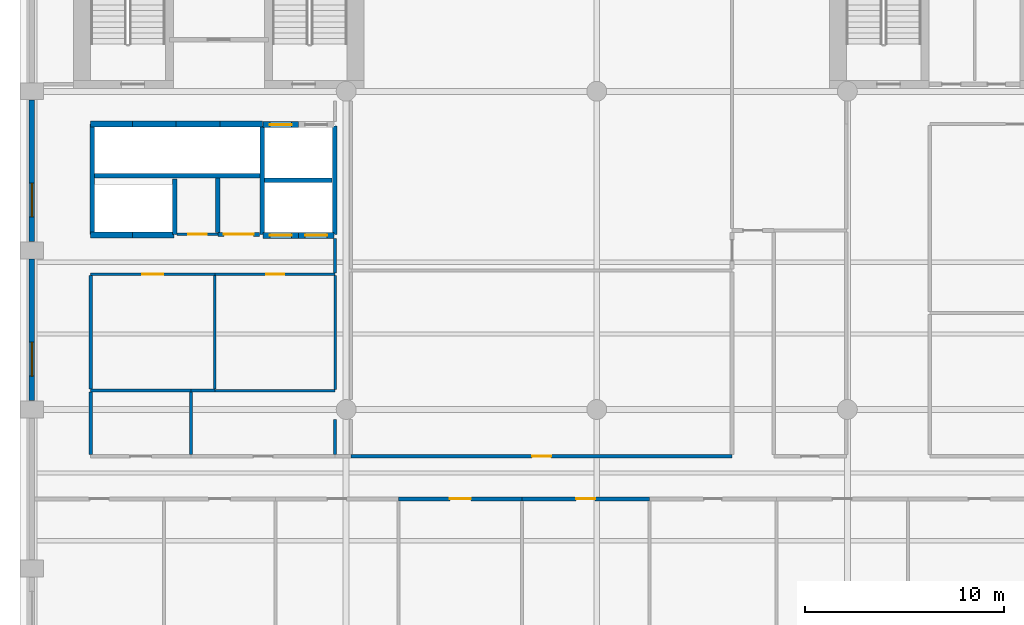
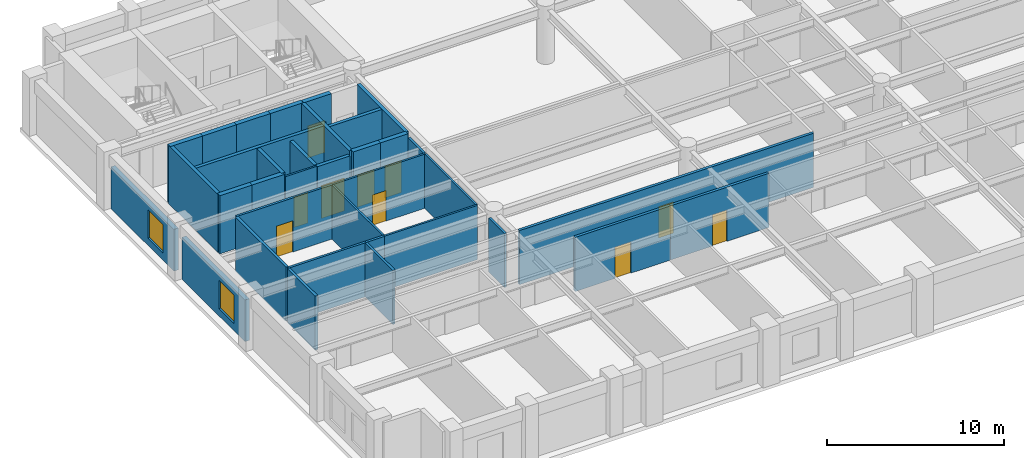
# One storey, part 3 of 8: 35 walls, 10 doors, 2 windows, 12 openings.
"""IFC4 building model written with IfcOpenShell, lengths in metres."""

from ifc_helpers import new_model, si_unit, direction, frame, frame_2d, origin, place, context, subcontext, project, spatial, rectangle, extrude, material, layer, layer_set, type_object, element, fill, save


model = new_model("IFC4")

# Units and contexts
model_context = context("Model", 3, precision=1e-05, world=origin(), true_north=direction((0.0, 1.0)))
body_context = subcontext(model_context, "Body", "Model", "MODEL_VIEW")
ifc_project = project(units=[si_unit("LENGTHUNIT", "METRE"), si_unit("AREAUNIT", "SQUARE_METRE"), si_unit("VOLUMEUNIT", "CUBIC_METRE"), si_unit("PLANEANGLEUNIT", "RADIAN"), si_unit("MASSUNIT", "GRAM", prefix="KILO")], contexts=[model_context])

# Site, building, storey
site_placement = place(None, origin())
site = spatial("IfcSite", under=ifc_project, at=site_placement, CompositionType="ELEMENT")
building_placement = place(site_placement, origin())
building = spatial("IfcBuilding", under=site, at=building_placement, Name="Sulina Concourse Tower", CompositionType="ELEMENT")
storey_placement = place(building_placement, frame((0.0, 0.0, 144.60009765625)))
storey = spatial("IfcBuildingStorey", under=building, at=storey_placement, Name="L35", CompositionType="ELEMENT", Elevation=144.60009765625)

# Walls
ifc_material_1 = material(Name="Concrete C50/60", Category="concrete")
ifc_layer_1 = layer(ifc_material_1, 0.219970703125)
ifc_layer_set_1 = layer_set([ifc_layer_1], Name="Concrete C50/60")
wall_type_1 = type_object("IfcWallType", Name="Core Lift Hoistway Divider Wall 220mm", PredefinedType="SOLIDWALL", material=ifc_layer_set_1)
wall_1_placement = place(storey_placement, frame((3.550048828125, 29.75, 0.0), z_axis=(0.0, 0.0, 1.0), x_axis=(1.0, 0.0, 0.0)))
element("IfcWall", 1, at=wall_1_placement, inside=storey, type_object=wall_type_1, Name="L35 shaft divider wall HW-LP3-S", PredefinedType="SOLIDWALL", context=body_context, shape_type="SweptSolid", body=[
    extrude(rectangle(XDim=8.64990234375, YDim=0.219970703125, at=frame_2d((4.324951171875, 0.0))), origin(), (0.0, 0.0, 1.0), 4.0),
])
wall_2_placement = place(storey_placement, frame((3.6298828125, 26.800048828125, 0.0), z_axis=(0.0, 0.0, 1.0), x_axis=(0.0, 1.0, 0.0)))
element("IfcWall", 2, at=wall_2_placement, inside=storey, type_object=wall_type_1, Name="L35 shaft divider wall HW-LP3-W", PredefinedType="SOLIDWALL", context=body_context, shape_type="SweptSolid", body=[
    extrude(rectangle(XDim=5.550048828125, YDim=0.219970703125, at=frame_2d((2.77490234375, 0.0))), origin(), (0.0, 0.0, 1.0), 4.0),
])
wall_3_placement = place(storey_placement, frame((7.780029296875, 26.800048828125, 0.0), z_axis=(0.0, 0.0, 1.0), x_axis=(0.0, 1.0, 0.0)))
element("IfcWall", 3, at=wall_3_placement, inside=storey, type_object=wall_type_1, Name="L35 shaft divider wall HW-EXP-E", PredefinedType="SOLIDWALL", context=body_context, shape_type="SweptSolid", body=[
    extrude(rectangle(XDim=2.800048828125, YDim=0.219970703125, at=frame_2d((1.39990234375, 0.0))), origin(), (0.0, 0.0, 1.0), 4.0),
])
for number, where, z_axis, x_axis, name in (
    (4, (12.179931640625, 26.800048828125, 0.0), (0.0, 0.0, 1.0), (0.0, 1.0, 0.0), "L35 shaft divider wall HW-LP2-W"),
    (5, (15.820068359375, 26.800048828125, 0.0), (0.0, 0.0, 1.0), (0.0, 1.0, 0.0), "L35 shaft divider wall HW-LP2-E"),
):
    element("IfcWall", number, at=place(storey_placement, frame(where, z_axis=z_axis, x_axis=x_axis)), inside=storey, type_object=wall_type_1, Name=name, PredefinedType="SOLIDWALL", context=body_context, shape_type="SweptSolid", body=[
        extrude(rectangle(XDim=5.449951171875, YDim=0.219970703125, at=frame_2d((2.72509765625, 0.0))), origin(), (0.0, 0.0, 1.0), 4.0),
    ])
wall_4_placement = place(storey_placement, frame((12.300048828125, 29.52001953125, 0.0), z_axis=(0.0, 0.0, 1.0), x_axis=(1.0, 0.0, 0.0)))
element("IfcWall", 6, at=wall_4_placement, inside=storey, type_object=wall_type_1, Name="L35 shaft divider wall HW-LP2-M", PredefinedType="SOLIDWALL", context=body_context, shape_type="SweptSolid", body=[
    extrude(rectangle(XDim=3.39990234375, YDim=0.219970703125, at=frame_2d((1.699951171875, 0.0))), origin(), (0.0, 0.0, 1.0), 4.0),
])

# Wall, opening, door
ifc_material_2 = material(Name="Concrete C50/60", Category="concrete")
ifc_layer_2 = layer(ifc_material_2, 0.300048828125)
ifc_layer_set_2 = layer_set([ifc_layer_2], Name="Concrete C50/60")
wall_type_2 = type_object("IfcWallType", Name="Core Lift Hoistway Wall 300mm", PredefinedType="SOLIDWALL", material=ifc_layer_set_2)
wall_5_placement = place(storey_placement, frame((14.0, 26.75, 0.0), z_axis=(0.0, 0.0, 1.0), x_axis=(-1.0, 0.0, 0.0)))
wall_5 = element("IfcWall", 7, at=wall_5_placement, inside=storey, type_object=wall_type_2, Name="L35 hoistway enclosure wall LP-05", PredefinedType="SOLIDWALL", context=body_context, shape_type="SweptSolid", body=[
    extrude(rectangle(XDim=1.780029296875, YDim=0.300048828125, at=frame_2d((0.89013671875, 0.0))), origin(), (0.0, 0.0, 1.0), 4.0),
])
opening_1_placement = place(wall_5_placement, frame((0.340087890625, 0.0, 0.0)))
opening_1 = element("IfcOpeningElement", 8, at=opening_1_placement, cuts=wall_5, Name="Opening LD-01", PredefinedType="OPENING", context=body_context, shape_type="SweptSolid", body=[
    extrude(rectangle(XDim=1.10009765625, YDim=2.199951171875, at=frame_2d((0.550048828125, 1.10009765625))), frame((0.0, 0.159912109375, 0.0), z_axis=(0.0, -1.0, 0.0), x_axis=(1.0, 0.0, 0.0)), (0.0, 0.0, 1.0), 0.320068359375),
])
ifc_material_3 = material(Name="Stainless steel lift landing door", Category="steel")
ifc_layer_3 = layer(ifc_material_3, 0.050048828125)
ifc_layer_set_3 = layer_set([ifc_layer_3], Name="Stainless steel lift landing door")
door_type_1 = type_object("IfcDoorType", Name="Passenger Lift Sliding Landing Door 1100x2200", OperationType="SLIDING_TO_LEFT", PredefinedType="DOOR", material=ifc_layer_set_3)
door_1_placement = place(opening_1_placement, origin())
door_1 = element("IfcDoor", 9, at=door_1_placement, inside=storey, type_object=door_type_1, Name="L35 lift landing sliding door LP-05", OperationType="SLIDING_TO_LEFT", OverallHeight=2.199951171875, OverallWidth=1.10009765625, PredefinedType="DOOR", context=body_context, shape_type="SweptSolid", body=[
    extrude(rectangle(XDim=1.10009765625, YDim=2.199951171875, at=frame_2d((0.550048828125, 1.10009765625))), frame((0.0, 0.02490234375, 0.0), z_axis=(0.0, -1.0, 0.0), x_axis=(1.0, 0.0, 0.0)), (0.0, 0.0, 1.0), 0.050048828125),
])
fill(opening_1, door_1)

wall_6_placement = place(storey_placement, frame((15.780029296875, 26.75, 0.0), z_axis=(0.0, 0.0, 1.0), x_axis=(-1.0, 0.0, 0.0)))
wall_6 = element("IfcWall", 10, at=wall_6_placement, inside=storey, type_object=wall_type_2, Name="L35 hoistway enclosure wall LP-06", PredefinedType="SOLIDWALL", context=body_context, shape_type="SweptSolid", body=[
    extrude(rectangle(XDim=1.780029296875, YDim=0.300048828125, at=frame_2d((0.89013671875, 0.0))), origin(), (0.0, 0.0, 1.0), 4.0),
])
opening_2_placement = place(wall_6_placement, frame((0.340087890625, 0.0, 0.0)))
opening_2 = element("IfcOpeningElement", 11, at=opening_2_placement, cuts=wall_6, Name="Opening LD-01", PredefinedType="OPENING", context=body_context, shape_type="SweptSolid", body=[
    extrude(rectangle(XDim=1.10009765625, YDim=2.199951171875, at=frame_2d((0.550048828125, 1.10009765625))), frame((0.0, 0.159912109375, 0.0), z_axis=(0.0, -1.0, 0.0), x_axis=(1.0, 0.0, 0.0)), (0.0, 0.0, 1.0), 0.320068359375),
])
door_2_placement = place(opening_2_placement, origin())
door_2 = element("IfcDoor", 12, at=door_2_placement, inside=storey, type_object=door_type_1, Name="L35 lift landing sliding door LP-06", OperationType="SLIDING_TO_RIGHT", OverallHeight=2.199951171875, OverallWidth=1.10009765625, PredefinedType="DOOR", context=body_context, shape_type="SweptSolid", body=[
    extrude(rectangle(XDim=1.10009765625, YDim=2.199951171875, at=frame_2d((0.550048828125, 1.10009765625))), frame((0.0, 0.02490234375, 0.0), z_axis=(0.0, -1.0, 0.0), x_axis=(1.0, 0.0, 0.0)), (0.0, 0.0, 1.0), 0.050048828125),
])
fill(opening_2, door_2)

wall_7_placement = place(storey_placement, frame((12.219970703125, 32.320068359375, 0.0), z_axis=(0.0, 0.0, 1.0), x_axis=(1.0, 0.0, 0.0)))
wall_7 = element("IfcWall", 13, at=wall_7_placement, inside=storey, type_object=wall_type_2, Name="L35 hoistway enclosure wall LP-07", PredefinedType="SOLIDWALL", context=body_context, shape_type="SweptSolid", body=[
    extrude(rectangle(XDim=1.780029296875, YDim=0.300048828125, at=frame_2d((0.89013671875, 0.0))), origin(), (0.0, 0.0, 1.0), 4.0),
])
opening_3_placement = place(wall_7_placement, frame((0.340087890625, 0.0, 0.0)))
opening_3 = element("IfcOpeningElement", 14, at=opening_3_placement, cuts=wall_7, Name="Opening LD-01", PredefinedType="OPENING", context=body_context, shape_type="SweptSolid", body=[
    extrude(rectangle(XDim=1.10009765625, YDim=2.199951171875, at=frame_2d((0.550048828125, 1.10009765625))), frame((0.0, 0.159912109375, 0.0), z_axis=(0.0, -1.0, 0.0), x_axis=(1.0, 0.0, 0.0)), (0.0, 0.0, 1.0), 0.320068359375),
])
door_3_placement = place(opening_3_placement, origin())
door_3 = element("IfcDoor", 15, at=door_3_placement, inside=storey, type_object=door_type_1, Name="L35 lift landing sliding door LP-07", OperationType="SLIDING_TO_LEFT", OverallHeight=2.199951171875, OverallWidth=1.10009765625, PredefinedType="DOOR", context=body_context, shape_type="SweptSolid", body=[
    extrude(rectangle(XDim=1.10009765625, YDim=2.199951171875, at=frame_2d((0.550048828125, 1.10009765625))), frame((0.0, 0.02490234375, 0.0), z_axis=(0.0, -1.0, 0.0), x_axis=(1.0, 0.0, 0.0)), (0.0, 0.0, 1.0), 0.050048828125),
])
fill(opening_3, door_3)

# Walls
wall_8_placement = place(storey_placement, frame((3.550048828125, 32.35009765625, 0.0), z_axis=(0.0, 0.0, 1.0), x_axis=(1.0, 0.0, 0.0)))
element("IfcWall", 16, at=wall_8_placement, inside=storey, type_object=wall_type_2, Name="L35 hoistway enclosure wall LP-09", PredefinedType="SOLIDWALL", context=body_context, shape_type="SweptSolid", body=[
    extrude(rectangle(XDim=2.099853515625, YDim=0.300048828125, at=frame_2d((1.0498046875, 0.0))), origin(), (0.0, 0.0, 1.0), 4.0),
])
wall_9_placement = place(storey_placement, frame((5.64990234375, 32.35009765625, 0.0), z_axis=(0.0, 0.0, 1.0), x_axis=(1.0, 0.0, 0.0)))
element("IfcWall", 17, at=wall_9_placement, inside=storey, type_object=wall_type_2, Name="L35 hoistway enclosure wall LP-10", PredefinedType="SOLIDWALL", context=body_context, shape_type="SweptSolid", body=[
    extrude(rectangle(XDim=2.2001953125, YDim=0.300048828125, at=frame_2d((1.10009765625, 0.0))), origin(), (0.0, 0.0, 1.0), 4.0),
])
wall_10_placement = place(storey_placement, frame((7.85009765625, 32.35009765625, 0.0), z_axis=(0.0, 0.0, 1.0), x_axis=(1.0, 0.0, 0.0)))
element("IfcWall", 18, at=wall_10_placement, inside=storey, type_object=wall_type_2, Name="L35 hoistway enclosure wall LP-11", PredefinedType="SOLIDWALL", context=body_context, shape_type="SweptSolid", body=[
    extrude(rectangle(XDim=2.199951171875, YDim=0.300048828125, at=frame_2d((1.10009765625, 0.0))), origin(), (0.0, 0.0, 1.0), 4.0),
])
wall_11_placement = place(storey_placement, frame((10.050048828125, 32.35009765625, 0.0), z_axis=(0.0, 0.0, 1.0), x_axis=(1.0, 0.0, 0.0)))
element("IfcWall", 19, at=wall_11_placement, inside=storey, type_object=wall_type_2, Name="L35 hoistway enclosure wall LP-12", PredefinedType="SOLIDWALL", context=body_context, shape_type="SweptSolid", body=[
    extrude(rectangle(XDim=2.14990234375, YDim=0.300048828125, at=frame_2d((1.074951171875, 0.0))), origin(), (0.0, 0.0, 1.0), 4.0),
])
wall_12_placement = place(storey_placement, frame((5.64990234375, 26.780029296875, 0.0), z_axis=(0.0, 0.0, 1.0), x_axis=(-1.0, 0.0, 0.0)))
element("IfcWall", 20, at=wall_12_placement, inside=storey, type_object=wall_type_2, Name="L35 hoistway enclosure wall EXP-1", PredefinedType="SOLIDWALL", context=body_context, shape_type="SweptSolid", body=[
    extrude(rectangle(XDim=2.099853515625, YDim=0.300048828125, at=frame_2d((1.0498046875, 0.0))), origin(), (0.0, 0.0, 1.0), 4.0),
])
wall_13_placement = place(storey_placement, frame((7.75, 26.780029296875, 0.0), z_axis=(0.0, 0.0, 1.0), x_axis=(-1.0, 0.0, 0.0)))
element("IfcWall", 21, at=wall_13_placement, inside=storey, type_object=wall_type_2, Name="L35 hoistway enclosure wall EXP-2", PredefinedType="SOLIDWALL", context=body_context, shape_type="SweptSolid", body=[
    extrude(rectangle(XDim=2.10009765625, YDim=0.300048828125, at=frame_2d((1.050048828125, 0.0))), origin(), (0.0, 0.0, 1.0), 4.0),
])

# Wall, opening, door
ifc_material_4 = material(Name="Gypsum board on steel stud", Category="steel")
ifc_layer_4 = layer(ifc_material_4, 0.219970703125)
ifc_layer_set_4 = layer_set([ifc_layer_4], Name="Gypsum board on steel stud")
wall_type_3 = type_object("IfcWallType", Name="Fire-Rated Lobby & Compartment Wall 220mm", PredefinedType="PARTITIONING", material=ifc_layer_set_4)
wall_14_placement = place(storey_placement, frame((9.949951171875, 26.800048828125, 0.0), z_axis=(0.0, 0.0, 1.0), x_axis=(1.0, 0.0, 0.0)))
wall_14 = element("IfcWall", 22, at=wall_14_placement, inside=storey, type_object=wall_type_3, Name="L35 interior partition 024", PredefinedType="PARTITIONING", context=body_context, shape_type="SweptSolid", body=[
    extrude(rectangle(XDim=2.10009765625, YDim=0.219970703125, at=frame_2d((1.050048828125, 0.0))), origin(), (0.0, 0.0, 1.0), 3.724853515625),
])
opening_4_placement = place(wall_14_placement, frame((0.300048828125, 0.0, 0.0)))
opening_4 = element("IfcOpeningElement", 23, at=opening_4_placement, cuts=wall_14, Name="Opening DR-80", PredefinedType="OPENING", context=body_context, shape_type="SweptSolid", body=[
    extrude(rectangle(XDim=1.5, YDim=2.25, at=frame_2d((0.75, 1.125))), frame((0.0, 0.119873046875, 0.0), z_axis=(0.0, -1.0, 0.0), x_axis=(1.0, 0.0, 0.0)), (0.0, 0.0, 1.0), 0.239990234375),
])
ifc_material_5 = material(Name="Galvanised steel acoustic fire leaf", Category="steel")
ifc_layer_5 = layer(ifc_material_5, 0.054931640625)
ifc_layer_set_5 = layer_set([ifc_layer_5], Name="Galvanised steel acoustic fire leaf")
door_type_2 = type_object("IfcDoorType", Name="Mechanical Plant Double Fire Door 1500x2250", OperationType="DOUBLE_DOOR_SINGLE_SWING", PredefinedType="DOOR", material=ifc_layer_set_5)
door_4_placement = place(opening_4_placement, origin())
door_4 = element("IfcDoor", 24, at=door_4_placement, inside=storey, type_object=door_type_2, Name="L35 interior door L35-IT-IDF", OperationType="DOUBLE_DOOR_SINGLE_SWING", OverallHeight=2.25, OverallWidth=1.5, PredefinedType="DOOR", context=body_context, shape_type="SweptSolid", body=[
    extrude(rectangle(XDim=1.5, YDim=2.25, at=frame_2d((0.75, 1.125))), frame((0.0, 0.02490234375, 0.0), z_axis=(0.0, -1.0, 0.0), x_axis=(1.0, 0.0, 0.0)), (0.0, 0.0, 1.0), 0.050048828125),
])
fill(opening_4, door_4)

# Walls
wall_15_placement = place(storey_placement, frame((9.949951171875, 26.909912109375, 0.0), z_axis=(0.0, 0.0, 1.0), x_axis=(0.0, 1.0, 0.0)))
element("IfcWall", 25, at=wall_15_placement, inside=storey, type_object=wall_type_3, Name="L35 interior partition 037", PredefinedType="PARTITIONING", context=body_context, shape_type="SweptSolid", body=[
    extrude(rectangle(XDim=2.72998046875, YDim=0.219970703125, at=frame_2d((1.364990234375, 0.0))), origin(), (0.0, 0.0, 1.0), 3.724853515625),
])
ifc_material_6 = material(Name="Gypsum board on steel stud", Category="steel")
ifc_layer_6 = layer(ifc_material_6, 0.14990234375)
ifc_layer_set_6 = layer_set([ifc_layer_6], Name="Gypsum board on steel stud")
wall_type_4 = type_object("IfcWallType", Name="Inter-Tenancy Acoustic Partition 150mm", PredefinedType="PARTITIONING", material=ifc_layer_set_6)
wall_16_placement = place(storey_placement, frame((3.550048828125, 18.949951171875, 0.0), z_axis=(0.0, 0.0, 1.0), x_axis=(1.0, 0.0, 0.0)))
element("IfcWall", 26, at=wall_16_placement, inside=storey, type_object=wall_type_4, Name="L35 interior partition 016", PredefinedType="PARTITIONING", context=body_context, shape_type="SweptSolid", body=[
    extrude(rectangle(XDim=5.050048828125, YDim=0.14990234375, at=frame_2d((2.52490234375, 0.0))), origin(), (0.0, 0.0, 1.0), 3.724853515625),
])
wall_17_placement = place(storey_placement, frame((8.60009765625, 18.949951171875, 0.0), z_axis=(0.0, 0.0, 1.0), x_axis=(1.0, 0.0, 0.0)))
element("IfcWall", 27, at=wall_17_placement, inside=storey, type_object=wall_type_4, Name="L35 interior partition 017", PredefinedType="PARTITIONING", context=body_context, shape_type="SweptSolid", body=[
    extrude(rectangle(XDim=1.199951171875, YDim=0.14990234375, at=frame_2d((0.60009765625, 0.0))), origin(), (0.0, 0.0, 1.0), 3.724853515625),
])

# Wall, opening, door
wall_18_placement = place(storey_placement, frame((3.550048828125, 24.800048828125, 0.0), z_axis=(0.0, 0.0, 1.0), x_axis=(1.0, 0.0, 0.0)))
wall_18 = element("IfcWall", 28, at=wall_18_placement, inside=storey, type_object=wall_type_4, Name="L35 interior partition 020", PredefinedType="PARTITIONING", context=body_context, shape_type="SweptSolid", body=[
    extrude(rectangle(XDim=6.25, YDim=0.14990234375, at=frame_2d((3.125, 0.0))), origin(), (0.0, 0.0, 1.0), 3.724853515625),
])
opening_5_placement = place(wall_18_placement, frame((2.60009765625, 0.0, 0.0)))
opening_5 = element("IfcOpeningElement", 29, at=opening_5_placement, cuts=wall_18, Name="Opening DR-37", PredefinedType="OPENING", context=body_context, shape_type="SweptSolid", body=[
    extrude(rectangle(XDim=1.050048828125, YDim=2.14990234375, at=frame_2d((0.52490234375, 1.074951171875))), frame((0.0, 0.0849609375, 0.0), z_axis=(0.0, -1.0, 0.0), x_axis=(1.0, 0.0, 0.0)), (0.0, 0.0, 1.0), 0.169921875),
])
ifc_material_7 = material(Name="Oak-veneered fire door leaf")
ifc_layer_7 = layer(ifc_material_7, 0.050048828125)
ifc_layer_set_7 = layer_set([ifc_layer_7], Name="Oak-veneered fire door leaf")
door_type_3 = type_object("IfcDoorType", Name="Tenant Suite Entrance Fire Door 1050x2150", OperationType="NOTDEFINED", PredefinedType="DOOR", material=ifc_layer_set_7)
door_5_placement = place(opening_5_placement, origin())
door_5 = element("IfcDoor", 30, at=door_5_placement, inside=storey, type_object=door_type_3, Name="L35 interior door L35-LR-MRG1", OperationType="SINGLE_SWING_RIGHT", OverallHeight=2.14990234375, OverallWidth=1.050048828125, PredefinedType="DOOR", context=body_context, shape_type="SweptSolid", body=[
    extrude(rectangle(XDim=1.050048828125, YDim=2.14990234375, at=frame_2d((0.52490234375, 1.074951171875))), frame((0.0, 0.02490234375, 0.0), z_axis=(0.0, -1.0, 0.0), x_axis=(1.0, 0.0, 0.0)), (0.0, 0.0, 1.0), 0.050048828125),
])
fill(opening_5, door_5)

# Walls
wall_19_placement = place(storey_placement, frame((8.60009765625, 15.739990234375, 0.0), z_axis=(0.0, 0.0, 1.0), x_axis=(0.0, 1.0, 0.0)))
element("IfcWall", 31, at=wall_19_placement, inside=storey, type_object=wall_type_4, Name="L35 interior partition 035", PredefinedType="PARTITIONING", context=body_context, shape_type="SweptSolid", body=[
    extrude(rectangle(XDim=3.135009765625, YDim=0.14990234375, at=frame_2d((1.5673828125, 0.0))), origin(), (0.0, 0.0, 1.0), 3.724853515625),
])
wall_20_placement = place(storey_placement, frame((15.85009765625, 15.739990234375, 0.0), z_axis=(0.0, 0.0, 1.0), x_axis=(0.0, 1.0, 0.0)))
element("IfcWall", 32, at=wall_20_placement, inside=storey, type_object=wall_type_4, Name="L35 interior partition 039", PredefinedType="PARTITIONING", context=body_context, shape_type="SweptSolid", body=[
    extrude(rectangle(XDim=1.760009765625, YDim=0.14990234375, at=frame_2d((0.8798828125, 0.0))), origin(), (0.0, 0.0, 1.0), 3.724853515625),
])
wall_21_placement = place(storey_placement, frame((15.85009765625, 24.862548828125, 0.0), z_axis=(0.0, 0.0, 1.0), x_axis=(0.0, 1.0, 0.0)))
element("IfcWall", 33, at=wall_21_placement, inside=storey, type_object=wall_type_4, Name="L35 interior partition 041", PredefinedType="PARTITIONING", context=body_context, shape_type="SweptSolid", body=[
    extrude(rectangle(XDim=1.737548828125, YDim=0.14990234375, at=frame_2d((0.86865234375, 0.0))), origin(), (0.0, 0.0, 1.0), 3.724853515625),
])

# Wall, opening, door
ifc_material_8 = material(Name="Gypsum board on steel stud", Category="steel")
ifc_layer_8 = layer(ifc_material_8, 0.179931640625)
ifc_layer_set_8 = layer_set([ifc_layer_8], Name="Gypsum board on steel stud")
wall_type_5 = type_object("IfcWallType", Name="Protected Corridor & Riser Partition 180mm", PredefinedType="PARTITIONING", material=ifc_layer_set_8)
wall_22_placement = place(storey_placement, frame((19.0400390625, 13.5, 0.0), z_axis=(0.0, 0.0, 1.0), x_axis=(1.0, 0.0, 0.0)))
wall_22 = element("IfcWall", 34, at=wall_22_placement, inside=storey, type_object=wall_type_5, Name="L35 interior partition 004", PredefinedType="PARTITIONING", context=body_context, shape_type="SweptSolid", body=[
    extrude(rectangle(XDim=6.199951171875, YDim=0.179931640625, at=frame_2d((3.10009765625, 0.0))), origin(), (0.0, 0.0, 1.0), 3.724853515625),
])
opening_6_placement = place(wall_22_placement, frame((2.574951171875, 0.0, 0.0)))
opening_6 = element("IfcOpeningElement", 35, at=opening_6_placement, cuts=wall_22, Name="Opening DR-37", PredefinedType="OPENING", context=body_context, shape_type="SweptSolid", body=[
    extrude(rectangle(XDim=1.050048828125, YDim=2.14990234375, at=frame_2d((0.52490234375, 1.074951171875))), frame((0.0, 0.099853515625, 0.0), z_axis=(0.0, -1.0, 0.0), x_axis=(1.0, 0.0, 0.0)), (0.0, 0.0, 1.0), 0.199951171875),
])
door_6_placement = place(opening_6_placement, origin())
door_6 = element("IfcDoor", 36, at=door_6_placement, inside=storey, type_object=door_type_3, Name="L35 interior door L35-S04", OperationType="SINGLE_SWING_LEFT", OverallHeight=2.14990234375, OverallWidth=1.050048828125, PredefinedType="DOOR", context=body_context, shape_type="SweptSolid", body=[
    extrude(rectangle(XDim=1.050048828125, YDim=2.14990234375, at=frame_2d((0.52490234375, 1.074951171875))), frame((0.0, 0.02490234375, 0.0), z_axis=(0.0, -1.0, 0.0), x_axis=(1.0, 0.0, 0.0)), (0.0, 0.0, 1.0), 0.050048828125),
])
fill(opening_6, door_6)

wall_23_placement = place(storey_placement, frame((25.239990234375, 13.5, 0.0), z_axis=(0.0, 0.0, 1.0), x_axis=(1.0, 0.0, 0.0)))
wall_23 = element("IfcWall", 37, at=wall_23_placement, inside=storey, type_object=wall_type_5, Name="L35 interior partition 005", PredefinedType="PARTITIONING", context=body_context, shape_type="SweptSolid", body=[
    extrude(rectangle(XDim=6.39990234375, YDim=0.179931640625, at=frame_2d((3.199951171875, 0.0))), origin(), (0.0, 0.0, 1.0), 3.724853515625),
])
opening_7_placement = place(wall_23_placement, frame((2.72509765625, 0.0, 0.0)))
opening_7 = element("IfcOpeningElement", 38, at=opening_7_placement, cuts=wall_23, Name="Opening DR-19", PredefinedType="OPENING", context=body_context, shape_type="SweptSolid", body=[
    extrude(rectangle(XDim=0.949951171875, YDim=2.14990234375, at=frame_2d((0.47509765625, 1.074951171875))), frame((0.0, 0.099853515625, 0.0), z_axis=(0.0, -1.0, 0.0), x_axis=(1.0, 0.0, 0.0)), (0.0, 0.0, 1.0), 0.199951171875),
])
ifc_material_9 = material(Name="Oak-veneered acoustic timber leaf", Category="wood")
ifc_layer_9 = layer(ifc_material_9, 0.050048828125)
ifc_layer_set_9 = layer_set([ifc_layer_9], Name="Oak-veneered acoustic timber leaf")
door_type_4 = type_object("IfcDoorType", Name="Cellular Office & Meeting Door 950x2150", OperationType="NOTDEFINED", PredefinedType="DOOR", material=ifc_layer_set_9)
door_7_placement = place(opening_7_placement, origin())
door_7 = element("IfcDoor", 39, at=door_7_placement, inside=storey, type_object=door_type_4, Name="L35 interior door L35-S05", OperationType="SINGLE_SWING_RIGHT", OverallHeight=2.14990234375, OverallWidth=0.949951171875, PredefinedType="DOOR", context=body_context, shape_type="SweptSolid", body=[
    extrude(rectangle(XDim=0.949951171875, YDim=2.14990234375, at=frame_2d((0.47509765625, 1.074951171875))), frame((0.0, 0.02490234375, 0.0), z_axis=(0.0, -1.0, 0.0), x_axis=(1.0, 0.0, 0.0)), (0.0, 0.0, 1.0), 0.050048828125),
])
fill(opening_7, door_7)

wall_24_placement = place(storey_placement, frame((16.64990234375, 15.64990234375, 0.0), z_axis=(0.0, 0.0, 1.0), x_axis=(1.0, 0.0, 0.0)))
wall_24 = element("IfcWall", 40, at=wall_24_placement, inside=storey, type_object=wall_type_5, Name="L35 interior partition 013", PredefinedType="PARTITIONING", context=body_context, shape_type="SweptSolid", body=[
    extrude(rectangle(XDim=19.150146484375, YDim=0.179931640625, at=frame_2d((9.5751953125, 0.0))), origin(), (0.0, 0.0, 1.0), 3.724853515625),
])
opening_8_placement = place(wall_24_placement, frame((9.10009765625, 0.0, 0.0)))
opening_8 = element("IfcOpeningElement", 41, at=opening_8_placement, cuts=wall_24, Name="Opening DR-19", PredefinedType="OPENING", context=body_context, shape_type="SweptSolid", body=[
    extrude(rectangle(XDim=0.949951171875, YDim=2.14990234375, at=frame_2d((0.47509765625, 1.074951171875))), frame((0.0, 0.099853515625, 0.0), z_axis=(0.0, -1.0, 0.0), x_axis=(1.0, 0.0, 0.0)), (0.0, 0.0, 1.0), 0.199951171875),
])
door_8_placement = place(opening_8_placement, origin())
door_8 = element("IfcDoor", 42, at=door_8_placement, inside=storey, type_object=door_type_4, Name="L35 interior door L35-NC1", OperationType="SINGLE_SWING_LEFT", OverallHeight=2.14990234375, OverallWidth=0.949951171875, PredefinedType="DOOR", context=body_context, shape_type="SweptSolid", body=[
    extrude(rectangle(XDim=0.949951171875, YDim=2.14990234375, at=frame_2d((0.47509765625, 1.074951171875))), frame((0.0, 0.02490234375, 0.0), z_axis=(0.0, -1.0, 0.0), x_axis=(1.0, 0.0, 0.0)), (0.0, 0.0, 1.0), 0.050048828125),
])
fill(opening_8, door_8)

# Walls
wall_25_placement = place(storey_placement, frame((3.550048828125, 15.739990234375, 0.0), z_axis=(0.0, 0.0, 1.0), x_axis=(0.0, 1.0, 0.0)))
element("IfcWall", 43, at=wall_25_placement, inside=storey, type_object=wall_type_5, Name="L35 interior partition 032", PredefinedType="PARTITIONING", context=body_context, shape_type="SweptSolid", body=[
    extrude(rectangle(XDim=3.135009765625, YDim=0.179931640625, at=frame_2d((1.5673828125, 0.0))), origin(), (0.0, 0.0, 1.0), 3.724853515625),
])
wall_26_placement = place(storey_placement, frame((3.550048828125, 19.02490234375, 0.0), z_axis=(0.0, 0.0, 1.0), x_axis=(0.0, 1.0, 0.0)))
element("IfcWall", 44, at=wall_26_placement, inside=storey, type_object=wall_type_5, Name="L35 interior partition 033", PredefinedType="PARTITIONING", context=body_context, shape_type="SweptSolid", body=[
    extrude(rectangle(XDim=5.7001953125, YDim=0.179931640625, at=frame_2d((2.85009765625, 0.0))), origin(), (0.0, 0.0, 1.0), 3.724853515625),
])

# Wall, opening, window
ifc_material_10 = material(Name="Precast concrete C50/60", Category="concrete")
ifc_layer_10 = layer(ifc_material_10, 0.280029296875)
ifc_layer_set_10 = layer_set([ifc_layer_10], Name="Precast concrete C50/60")
wall_type_6 = type_object("IfcWallType", Name="Typical Precast Masonry-Frame Facade Wall 280mm", PredefinedType="SOLIDWALL", material=ifc_layer_set_10)
wall_27_placement = place(storey_placement, frame((0.60009765625, 18.445068359375, 0.0), z_axis=(0.0, 0.0, 1.0), x_axis=(0.0, 1.0, 0.0)))
wall_27 = element("IfcWall", 45, at=wall_27_placement, inside=storey, type_object=wall_type_6, Name="L35 exterior precast wall W3", PredefinedType="SOLIDWALL", context=body_context, shape_type="SweptSolid", body=[
    extrude(rectangle(XDim=7.10986328125, YDim=0.280029296875, at=frame_2d((3.554931640625, 0.0))), origin(), (0.0, 0.0, 1.0), 2.875),
])
opening_9_placement = place(wall_27_placement, frame((1.23681640625, 0.0, 0.5)))
opening_9 = element("IfcOpeningElement", 46, at=opening_9_placement, cuts=wall_27, Name="Opening WN-66", PredefinedType="OPENING", context=body_context, shape_type="SweptSolid", body=[
    extrude(rectangle(XDim=1.699951171875, YDim=1.949951171875, at=frame_2d((0.85009765625, 0.97509765625))), frame((0.0, 0.14990234375, 0.0), z_axis=(0.0, -1.0, 0.0), x_axis=(1.0, 0.0, 0.0)), (0.0, 0.0, 1.0), 0.300048828125),
])
ifc_material_11 = material(Name="Low-E solar double glazing in bronze aluminium", Category="aluminium")
window_type = type_object("IfcWindowType", Name="Recessed Spandrel Window 1700x1950", PartitioningType="SINGLE_PANEL", PredefinedType="WINDOW", material=ifc_material_11)
window_1_placement = place(opening_9_placement, origin())
window_1 = element("IfcWindow", 47, at=window_1_placement, inside=storey, type_object=window_type, Name="L35 punched window W3-1", OverallHeight=1.949951171875, OverallWidth=1.699951171875, PartitioningType="SINGLE_PANEL", PredefinedType="WINDOW", context=body_context, shape_type="SweptSolid", body=[
    extrude(rectangle(XDim=1.699951171875, YDim=1.949951171875, at=frame_2d((0.85009765625, 0.97509765625))), frame((0.0, 0.030029296875, 0.0), z_axis=(0.0, -1.0, 0.0), x_axis=(1.0, 0.0, 0.0)), (0.0, 0.0, 1.0), 0.06005859375),
])
fill(opening_9, window_1)

wall_28_placement = place(storey_placement, frame((0.60009765625, 26.445068359375, 0.0), z_axis=(0.0, 0.0, 1.0), x_axis=(0.0, 1.0, 0.0)))
wall_28 = element("IfcWall", 48, at=wall_28_placement, inside=storey, type_object=wall_type_6, Name="L35 exterior precast wall W4", PredefinedType="SOLIDWALL", context=body_context, shape_type="SweptSolid", body=[
    extrude(rectangle(XDim=7.10986328125, YDim=0.280029296875, at=frame_2d((3.554931640625, 0.0))), origin(), (0.0, 0.0, 1.0), 2.875),
])
opening_10_placement = place(wall_28_placement, frame((1.23681640625, 0.0, 0.5)))
opening_10 = element("IfcOpeningElement", 49, at=opening_10_placement, cuts=wall_28, Name="Opening WN-66", PredefinedType="OPENING", context=body_context, shape_type="SweptSolid", body=[
    extrude(rectangle(XDim=1.699951171875, YDim=1.949951171875, at=frame_2d((0.85009765625, 0.97509765625))), frame((0.0, 0.14990234375, 0.0), z_axis=(0.0, -1.0, 0.0), x_axis=(1.0, 0.0, 0.0)), (0.0, 0.0, 1.0), 0.300048828125),
])
window_2_placement = place(opening_10_placement, origin())
window_2 = element("IfcWindow", 50, at=window_2_placement, inside=storey, type_object=window_type, Name="L35 punched window W4-1", OverallHeight=1.949951171875, OverallWidth=1.699951171875, PartitioningType="SINGLE_PANEL", PredefinedType="WINDOW", context=body_context, shape_type="SweptSolid", body=[
    extrude(rectangle(XDim=1.699951171875, YDim=1.949951171875, at=frame_2d((0.85009765625, 0.97509765625))), frame((0.0, 0.030029296875, 0.0), z_axis=(0.0, -1.0, 0.0), x_axis=(1.0, 0.0, 0.0)), (0.0, 0.0, 1.0), 0.06005859375),
])
fill(opening_10, window_2)

# Wall
ifc_material_12 = material(Name="Gypsum board on steel stud", Category="steel")
ifc_layer_11 = layer(ifc_material_12, 0.125)
ifc_layer_set_11 = layer_set([ifc_layer_11], Name="Gypsum board on steel stud")
wall_type_7 = type_object("IfcWallType", Name="Wet-Area Moisture-Resistant Partition 125mm", PredefinedType="PARTITIONING", material=ifc_layer_set_11)
wall_29_placement = place(storey_placement, frame((9.800048828125, 18.949951171875, 0.0), z_axis=(0.0, 0.0, 1.0), x_axis=(1.0, 0.0, 0.0)))
element("IfcWall", 51, at=wall_29_placement, inside=storey, type_object=wall_type_7, Name="L35 interior partition 018", PredefinedType="PARTITIONING", context=body_context, shape_type="SweptSolid", body=[
    extrude(rectangle(XDim=6.050048828125, YDim=0.125, at=frame_2d((3.02490234375, 0.0))), origin(), (0.0, 0.0, 1.0), 3.724853515625),
])

# Wall, opening, door
wall_30_placement = place(storey_placement, frame((9.800048828125, 24.800048828125, 0.0), z_axis=(0.0, 0.0, 1.0), x_axis=(1.0, 0.0, 0.0)))
wall_30 = element("IfcWall", 52, at=wall_30_placement, inside=storey, type_object=wall_type_7, Name="L35 interior partition 021", PredefinedType="PARTITIONING", context=body_context, shape_type="SweptSolid", body=[
    extrude(rectangle(XDim=6.050048828125, YDim=0.125, at=frame_2d((3.02490234375, 0.0))), origin(), (0.0, 0.0, 1.0), 3.724853515625),
])
opening_11_placement = place(wall_30_placement, frame((2.574951171875, 0.0, 0.0)))
opening_11 = element("IfcOpeningElement", 53, at=opening_11_placement, cuts=wall_30, Name="Opening DR-21", PredefinedType="OPENING", context=body_context, shape_type="SweptSolid", body=[
    extrude(rectangle(XDim=0.89990234375, YDim=2.10009765625, at=frame_2d((0.449951171875, 1.050048828125))), frame((0.0, 0.072509765625, 0.0), z_axis=(0.0, -1.0, 0.0), x_axis=(1.0, 0.0, 0.0)), (0.0, 0.0, 1.0), 0.14501953125),
])
ifc_material_13 = material(Name="Oak-veneered fire door leaf")
ifc_layer_12 = layer(ifc_material_13, 0.050048828125)
ifc_layer_set_12 = layer_set([ifc_layer_12], Name="Oak-veneered fire door leaf")
door_type_5 = type_object("IfcDoorType", Name="Restroom & Service Door 900x2100", OperationType="NOTDEFINED", PredefinedType="DOOR", material=ifc_layer_set_12)
door_9_placement = place(opening_11_placement, origin())
door_9 = element("IfcDoor", 54, at=door_9_placement, inside=storey, type_object=door_type_5, Name="L35 interior door L35-LR-MRG2", OperationType="SINGLE_SWING_LEFT", OverallHeight=2.10009765625, OverallWidth=0.89990234375, PredefinedType="DOOR", context=body_context, shape_type="SweptSolid", body=[
    extrude(rectangle(XDim=0.89990234375, YDim=2.10009765625, at=frame_2d((0.449951171875, 1.050048828125))), frame((0.0, 0.02490234375, 0.0), z_axis=(0.0, -1.0, 0.0), x_axis=(1.0, 0.0, 0.0)), (0.0, 0.0, 1.0), 0.050048828125),
])
fill(opening_11, door_9)

wall_31_placement = place(storey_placement, frame((7.889892578125, 26.800048828125, 0.0), z_axis=(0.0, 0.0, 1.0), x_axis=(1.0, 0.0, 0.0)))
wall_31 = element("IfcWall", 55, at=wall_31_placement, inside=storey, type_object=wall_type_7, Name="L35 interior partition 023", PredefinedType="PARTITIONING", context=body_context, shape_type="SweptSolid", body=[
    extrude(rectangle(XDim=2.06005859375, YDim=0.125, at=frame_2d((1.030029296875, 0.0))), origin(), (0.0, 0.0, 1.0), 3.724853515625),
])
opening_12_placement = place(wall_31_placement, frame((0.570068359375, 0.0, 0.0)))
opening_12 = element("IfcOpeningElement", 56, at=opening_12_placement, cuts=wall_31, Name="Opening DR-61", PredefinedType="OPENING", context=body_context, shape_type="SweptSolid", body=[
    extrude(rectangle(XDim=0.919921875, YDim=2.10009765625, at=frame_2d((0.4599609375, 1.050048828125))), frame((0.0, 0.072509765625, 0.0), z_axis=(0.0, -1.0, 0.0), x_axis=(1.0, 0.0, 0.0)), (0.0, 0.0, 1.0), 0.14501953125),
])
ifc_material_14 = material(Name="Oak-veneered fire door leaf")
ifc_layer_13 = layer(ifc_material_14, 0.050048828125)
ifc_layer_set_13 = layer_set([ifc_layer_13], Name="Oak-veneered fire door leaf")
door_type_6 = type_object("IfcDoorType", Name="Accessible WC Door 920x2100", OperationType="NOTDEFINED", PredefinedType="DOOR", material=ifc_layer_set_13)
door_10_placement = place(opening_12_placement, origin())
door_10 = element("IfcDoor", 57, at=door_10_placement, inside=storey, type_object=door_type_6, Name="L35 interior door L35-WC-ACC", OperationType="SINGLE_SWING_RIGHT", OverallHeight=2.10009765625, OverallWidth=0.919921875, PredefinedType="DOOR", context=body_context, shape_type="SweptSolid", body=[
    extrude(rectangle(XDim=0.919921875, YDim=2.10009765625, at=frame_2d((0.4599609375, 1.050048828125))), frame((0.0, 0.02490234375, 0.0), z_axis=(0.0, -1.0, 0.0), x_axis=(1.0, 0.0, 0.0)), (0.0, 0.0, 1.0), 0.050048828125),
])
fill(opening_12, door_10)

# Walls
wall_32_placement = place(storey_placement, frame((9.800048828125, 19.02490234375, 0.0), z_axis=(0.0, 0.0, 1.0), x_axis=(0.0, 1.0, 0.0)))
element("IfcWall", 58, at=wall_32_placement, inside=storey, type_object=wall_type_7, Name="L35 interior partition 036", PredefinedType="PARTITIONING", context=body_context, shape_type="SweptSolid", body=[
    extrude(rectangle(XDim=5.7001953125, YDim=0.125, at=frame_2d((2.85009765625, 0.0))), origin(), (0.0, 0.0, 1.0), 3.724853515625),
])
wall_33_placement = place(storey_placement, frame((15.85009765625, 19.012451171875, 0.0), z_axis=(0.0, 0.0, 1.0), x_axis=(0.0, 1.0, 0.0)))
element("IfcWall", 59, at=wall_33_placement, inside=storey, type_object=wall_type_7, Name="L35 interior partition 040", PredefinedType="PARTITIONING", context=body_context, shape_type="SweptSolid", body=[
    extrude(rectangle(XDim=5.72509765625, YDim=0.125, at=frame_2d((2.862548828125, 0.0))), origin(), (0.0, 0.0, 1.0), 3.724853515625),
])

save(model, "model.ifc")
